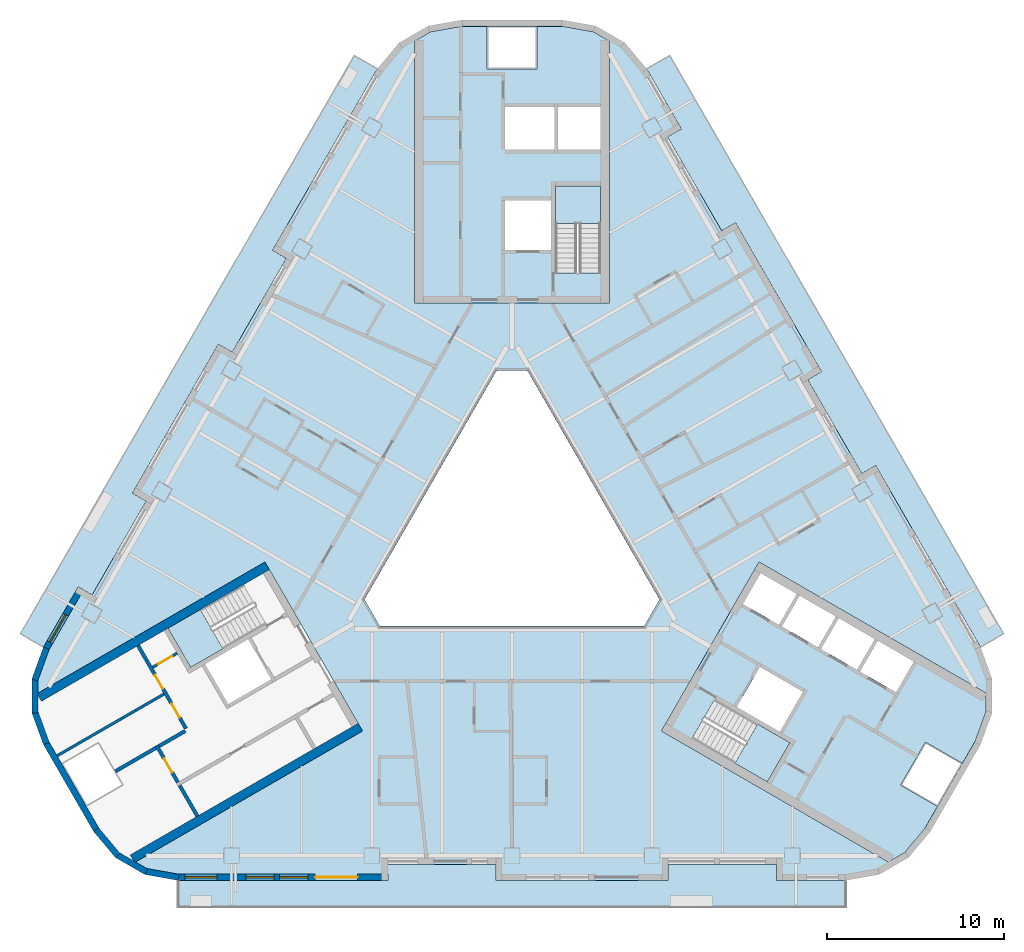
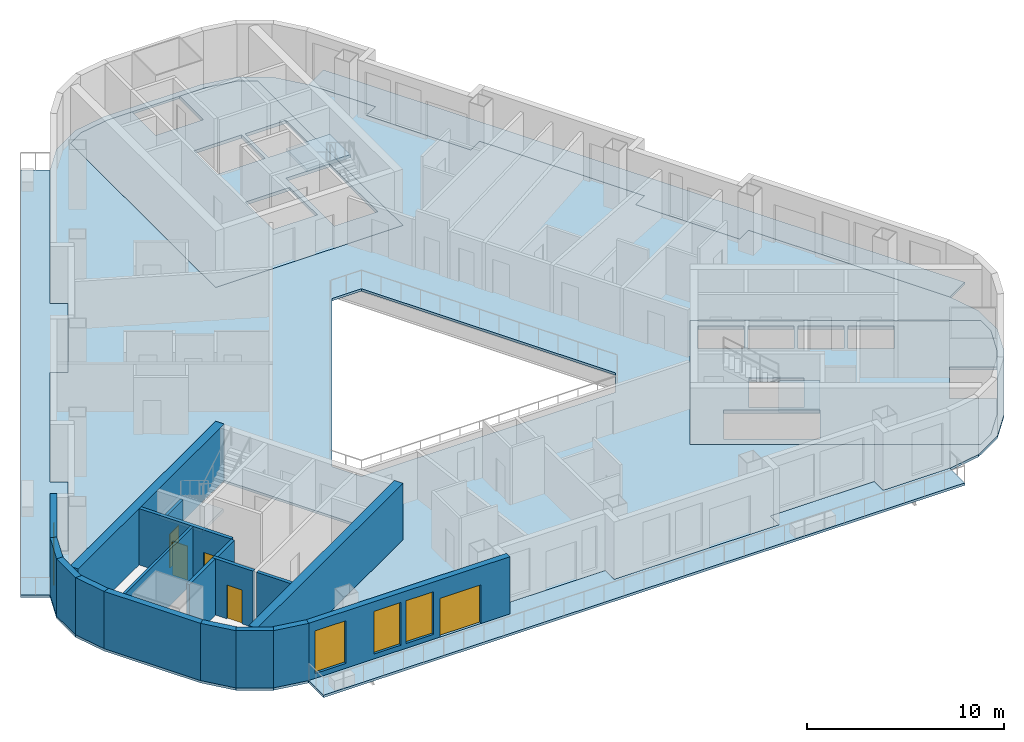
# One storey, part 2 of 14: 18 walls, 9 slabs, 5 doors, 4 windows, 9 openings, 3 elements without a shape of their own.
"""IFC4 building model written with IfcOpenShell, lengths in metres."""

import ifcopenshell
import ifcopenshell.guid

model = None  # the IFC model being written
_history = None  # IfcOwnerHistory: only IFC2X3 demands one
_inside = {}  # id of a spatial element -> (the spatial element, [elements in it])
_under = {}  # id of a project, library or spatial element -> (it, [spatial elements below it])
_declared = {}  # id of a project -> (the project, [libraries it declares])
_typed = {}  # id of a type object -> (the type object, [elements of that type])
_made_of = {}  # id of a material, layer set ... -> (it, [elements and type objects made of it])


def new_model(schema):
    """Start an empty IFC model of exactly this schema.

    Asked for "IFC4X3", IfcOpenShell would pick the latest addendum, in which some entities
    have other attributes; the version numbers below select the first issue.
    IFC2X3 requires an IfcOwnerHistory on every rooted entity: one is made here for all.
    """
    global model, _history
    if schema == "IFC4X3":
        model = ifcopenshell.file(schema_version=(4, 3, 0, 0))
    else:
        model = ifcopenshell.file(schema=schema)
    _inside.clear()
    _under.clear()
    _declared.clear()
    _typed.clear()
    _made_of.clear()
    _history = None
    if model.schema == "IFC2X3":
        org = make("IfcOrganization", Name="unknown")
        user = make(
            "IfcPersonAndOrganization",
            ThePerson=make("IfcPerson", FamilyName="unknown"),
            TheOrganization=org,
        )
        app = make(
            "IfcApplication",
            ApplicationDeveloper=org,
            Version="unknown",
            ApplicationFullName="unknown",
            ApplicationIdentifier="unknown",
        )
        _history = make(
            "IfcOwnerHistory",
            OwningUser=user,
            OwningApplication=app,
            ChangeAction="ADDED",
            CreationDate=0,
        )
    return model


def make(cls, **values):
    """One entity of the class cls with the attributes given. An attribute that is None is left unset."""
    return model.create_entity(
        cls, **{name: value for name, value in values.items() if value is not None}
    )


def rooted(cls, **values):
    """An entity with a GlobalId (a new one), such as an element, a storey or a relation."""
    return make(cls, GlobalId=ifcopenshell.guid.new(), OwnerHistory=_history, **values)


def si_unit(unit_type, name, prefix=None):
    """IfcSIUnit, for example si_unit("LENGTHUNIT", "METRE", prefix="MILLI")."""
    return make("IfcSIUnit", UnitType=unit_type, Prefix=prefix, Name=name)


def assignment(units):
    """IfcUnitAssignment: the units of a project."""
    return None if units is None else make("IfcUnitAssignment", Units=units)


def point(xyz):
    """IfcCartesianPoint."""
    return None if xyz is None else make("IfcCartesianPoint", Coordinates=xyz)


def direction(xyz):
    """IfcDirection."""
    return None if xyz is None else make("IfcDirection", DirectionRatios=xyz)


def frame(location, z_axis=None, x_axis=None):
    """IfcAxis2Placement3D, a coordinate frame: its origin and axes. An axis left out is left unset."""
    return make(
        "IfcAxis2Placement3D",
        Location=point(location),
        Axis=direction(z_axis),
        RefDirection=direction(x_axis),
    )


def frame_2d(location, x_axis=None):
    """IfcAxis2Placement2D, a coordinate frame in the plane: its origin and x axis."""
    return make(
        "IfcAxis2Placement2D", Location=point(location), RefDirection=direction(x_axis)
    )


def origin():
    """The frame at (0, 0, 0) with its axes left unset."""
    return frame((0.0, 0.0, 0.0))


def place(relative_to, where):
    """IfcLocalPlacement: puts the frame where relative to a parent placement (None: the world)."""
    return make(
        "IfcLocalPlacement", PlacementRelTo=relative_to, RelativePlacement=where
    )


def context(
    kind, dimensions, precision=None, world=None, true_north=None, identifier=None
):
    """IfcGeometricRepresentationContext, for example the 3D "Model" context."""
    return make(
        "IfcGeometricRepresentationContext",
        ContextIdentifier=identifier,
        ContextType=kind,
        CoordinateSpaceDimension=dimensions,
        Precision=precision,
        WorldCoordinateSystem=world,
        TrueNorth=true_north,
    )


def subcontext(parent, identifier, kind, view, scale=None):
    """IfcGeometricRepresentationSubContext, for example "Body" below "Model"."""
    return make(
        "IfcGeometricRepresentationSubContext",
        ContextIdentifier=identifier,
        ContextType=kind,
        ParentContext=parent,
        TargetScale=scale,
        TargetView=view,
    )


def project(units=None, contexts=None):
    """IfcProject with its units and contexts."""
    return rooted(
        "IfcProject",
        Name="project",
        RepresentationContexts=contexts,
        UnitsInContext=assignment(units),
    )


def spatial(cls, under=None, at=None, **own):
    """A site, building, storey or space (cls), placed at a placement, below another one or the project."""
    s = rooted(cls, ObjectPlacement=at, **own)
    if under is not None:
        _under.setdefault(under.id(), (under, []))[1].append(s)
    return s


def polyline(points):
    """IfcPolyline through the points."""
    return make("IfcPolyline", Points=[point(p) for p in points])


def profile(cls, at=None, kind="AREA", **sizes):
    """A parametric profile (cls). Its sizes go by their IFC names, for example OverallWidth=200.0."""
    return make(cls, ProfileType=kind, Position=at, **sizes)


def rectangle(**sizes):
    """IfcRectangleProfileDef."""
    return profile("IfcRectangleProfileDef", **sizes)


def outline(outer, holes=None, kind="AREA"):
    """IfcArbitraryClosedProfileDef: a profile drawn as a closed curve; with holes, ...WithVoids."""
    if holes is None:
        return make("IfcArbitraryClosedProfileDef", ProfileType=kind, OuterCurve=outer)
    return make(
        "IfcArbitraryProfileDefWithVoids",
        ProfileType=kind,
        OuterCurve=outer,
        InnerCurves=holes,
    )


def extrude(swept, where, along, depth):
    """IfcExtrudedAreaSolid: the profile swept, set in the frame where, extruded along a direction by depth."""
    return make(
        "IfcExtrudedAreaSolid",
        SweptArea=swept,
        Position=where,
        ExtrudedDirection=direction(along),
        Depth=depth,
    )


def shape(context_of_items, identifier, shape_type, items):
    """IfcShapeRepresentation: the items that make up one representation, for example the "Body"."""
    return make(
        "IfcShapeRepresentation",
        ContextOfItems=context_of_items,
        RepresentationIdentifier=identifier,
        RepresentationType=shape_type,
        Items=items,
    )


def material(Name=None, Category=None):
    """IfcMaterial."""
    return make("IfcMaterial", Name=Name, Category=Category)


def layer(
    of_material, thickness, ventilated=None, Name=None, Category=None, Priority=None
):
    """IfcMaterialLayer: one layer of a wall or slab, of a material (None: an air gap)."""
    return make(
        "IfcMaterialLayer",
        Material=of_material,
        LayerThickness=thickness,
        IsVentilated=ventilated,
        Name=Name,
        Category=Category,
        Priority=Priority,
    )


def layer_set(layers, Name=None):
    """IfcMaterialLayerSet."""
    return make("IfcMaterialLayerSet", MaterialLayers=layers, LayerSetName=Name)


def made_of(thing, what):
    """Note that an element or type object is made of a material, layer set ...; save() writes the relation."""
    if what is not None:
        _made_of.setdefault(what.id(), (what, []))[1].append(thing)
    return thing


def type_object(cls, material=None, **own):
    """A type object (cls), such as IfcWallType, which elements share."""
    return made_of(rooted(cls, **own), material)


def element(
    cls,
    number,
    at=None,
    inside=None,
    cuts=None,
    type_object=None,
    material=None,
    context=None,
    identifier="Body",
    shape_type=None,
    held_by="IfcProductDefinitionShape",
    body=None,
    shapes=None,
    **own,
):
    """One element of the class cls, such as IfcWall. Its Tag is "e" and its number.

    at: its placement. inside: the storey or other place that contains it. cuts: it is an
    opening in that element (IfcRelVoidsElement). A single representation is given by context,
    identifier, shape_type and body (its items); several are given by shapes. held_by: the class
    of the entity that holds the representations. save() writes the other relations.
    """
    e = rooted(cls, Tag="e%d" % number, ObjectPlacement=at, **own)
    if body is not None:
        shapes = [shape(context, identifier, shape_type, body)]
    if shapes is not None:
        e.Representation = make(held_by, Representations=shapes)
    if inside is not None:
        _inside.setdefault(inside.id(), (inside, []))[1].append(e)
    if cuts is not None:
        rooted(
            "IfcRelVoidsElement", RelatingBuildingElement=cuts, RelatedOpeningElement=e
        )
    if type_object is not None:
        _typed.setdefault(type_object.id(), (type_object, []))[1].append(e)
    return made_of(e, material)


def fill(opening, filler):
    """IfcRelFillsElement: the door or window that sits in an opening."""
    return rooted(
        "IfcRelFillsElement",
        RelatingOpeningElement=opening,
        RelatedBuildingElement=filler,
    )


def aggregate(whole, parts):
    """IfcRelAggregates: a whole, such as a stair, and the parts it consists of."""
    return rooted("IfcRelAggregates", RelatingObject=whole, RelatedObjects=parts)


def save(model, path):
    """Write the relations noted so far, then the file.

    IfcRelAggregates (storeys below a building ...), IfcRelContainedInSpatialStructure (elements
    in a storey), IfcRelDefinesByType, IfcRelAssociatesMaterial and IfcRelDeclares: one each for
    every whole, place, type object, material and project.
    """
    for whole, parts in _under.values():
        aggregate(whole, parts)
    for where, things in _inside.values():
        rooted(
            "IfcRelContainedInSpatialStructure",
            RelatedElements=things,
            RelatingStructure=where,
        )
    for kind, things in _typed.values():
        rooted("IfcRelDefinesByType", RelatedObjects=things, RelatingType=kind)
    for what, things in _made_of.values():
        rooted("IfcRelAssociatesMaterial", RelatedObjects=things, RelatingMaterial=what)
    for by, libraries in _declared.values():
        rooted("IfcRelDeclares", RelatingContext=by, RelatedDefinitions=libraries)
    model.write(path)


model = new_model("IFC4")

# Units and contexts
model_context = context("Model", 3, precision=1e-05, world=origin(), true_north=direction((0.0, 1.0)))
body_context = subcontext(model_context, "Body", "Model", "MODEL_VIEW")
ifc_project = project(units=[si_unit("LENGTHUNIT", "METRE"), si_unit("AREAUNIT", "SQUARE_METRE"), si_unit("VOLUMEUNIT", "CUBIC_METRE"), si_unit("PLANEANGLEUNIT", "RADIAN"), si_unit("MASSUNIT", "GRAM", prefix="KILO")], contexts=[model_context])

# Site, building, storey
site_placement = place(None, origin())
site = spatial("IfcSite", under=ifc_project, at=site_placement, CompositionType="ELEMENT")
building_placement = place(site_placement, origin())
building = spatial("IfcBuilding", under=site, at=building_placement, Name="Apuvela Tower Hotel", CompositionType="ELEMENT")
storey_placement = place(building_placement, frame((0.0, 0.0, 116.800048828125)))
storey = spatial("IfcBuildingStorey", under=building, at=storey_placement, Name="L27", CompositionType="ELEMENT", Elevation=116.800048828125)

# Slabs
ifc_material_1 = material(Name="Concrete C50/60", Category="concrete")
ifc_layer_1 = layer(ifc_material_1, 0.199951171875)
ifc_layer_set_1 = layer_set([ifc_layer_1], Name="COR-FLOOR-200")
slab_type_1 = type_object("IfcSlabType", Name="COR-FLOOR-200", PredefinedType="FLOOR", material=ifc_layer_set_1)
slab_1_placement = place(storey_placement, frame((0.0, 0.0, -0.199951171875)))
element("IfcSlab", 1, at=slab_1_placement, inside=storey, type_object=slab_type_1, Name="Core floor N", PredefinedType="FLOOR", context=body_context, shape_type="SweptSolid", body=[
    extrude(outline(polyline([(5.5, 27.668212890625), (4.588623046875, 28.1943359375), (2.85498046875, 28.5), (1.39990234375, 28.5), (1.39990234375, 26.10009765625), (-1.39990234375, 26.10009765625), (-1.39990234375, 28.5), (-2.85498046875, 28.5), (-4.588623046875, 28.1943359375), (-5.5, 27.668212890625), (-5.5, 12.89990234375), (5.5, 12.89990234375), (5.5, 27.668212890625)]), holes=[polyline([(5.0, 14.60595703125), (2.449951171875, 14.60595703125), (2.449951171875, 19.5), (5.0, 19.5), (5.0, 14.60595703125)]), polyline([(2.199951171875, 15.89990234375), (-0.39990234375, 15.89990234375), (-0.39990234375, 18.699951171875), (2.199951171875, 18.699951171875), (2.199951171875, 15.89990234375)]), polyline([(5.0, 21.550048828125), (2.60009765625, 21.550048828125), (2.60009765625, 23.949951171875), (5.0, 23.949951171875), (5.0, 21.550048828125)]), polyline([(2.39990234375, 21.550048828125), (-0.39990234375, 21.550048828125), (-0.39990234375, 23.949951171875), (2.39990234375, 23.949951171875), (2.39990234375, 21.550048828125)])]), origin(), (0.0, 0.0, 1.0), 0.199951171875),
])
slab_2_placement = place(storey_placement, frame((0.0, 0.0, -0.199951171875)))
element("IfcSlab", 2, at=slab_2_placement, inside=storey, type_object=slab_type_1, Name="Core floor SE", PredefinedType="FLOOR", context=body_context, shape_type="SweptSolid", body=[
    extrude(outline(polyline([(21.211181640625, -18.59716796875), (22.122802734375, -18.071044921875), (23.254150390625, -16.72265625), (23.981689453125, -15.46240234375), (21.9033203125, -14.262451171875), (23.30322265625, -11.837646484375), (25.381591796875, -13.03759765625), (26.109375, -11.77734375), (26.711181640625, -10.123291015625), (26.711181640625, -9.07080078125), (13.921630859375, -1.68701171875), (8.421630859375, -11.213134765625), (21.211181640625, -18.59716796875)]), holes=[polyline([(13.01806640625, -4.052001953125), (14.01806640625, -2.31982421875), (16.044677734375, -3.489990234375), (15.044677734375, -5.221923828125), (13.01806640625, -4.052001953125)]), polyline([(17.244384765625, -6.491943359375), (15.2177734375, -5.322021484375), (16.2177734375, -3.58984375), (18.244384765625, -4.760009765625), (17.244384765625, -6.491943359375)]), polyline([(14.387451171875, -14.080078125), (10.149169921875, -11.633056640625), (11.42431640625, -9.4248046875), (15.66259765625, -11.871826171875), (14.387451171875, -14.080078125)]), polyline([(12.669921875, -9.855224609375), (13.9697265625, -7.603515625), (16.394775390625, -9.003662109375), (15.0947265625, -11.25537109375), (12.669921875, -9.855224609375)]), polyline([(19.444091796875, -7.761962890625), (17.41748046875, -6.591796875), (18.41748046875, -4.85986328125), (20.444091796875, -6.02978515625), (19.444091796875, -7.761962890625)]), polyline([(21.643798828125, -9.031982421875), (19.6171875, -7.86181640625), (20.6171875, -6.1298828125), (22.643798828125, -7.2998046875), (21.643798828125, -9.031982421875)])]), origin(), (0.0, 0.0, 1.0), 0.199951171875),
])

# Stair, slab
stair_type = type_object("IfcStairType", Name="COR-STAIR-22R", PredefinedType="HALF_TURN_STAIR", material=ifc_material_1)
stair_1_placement = place(storey_placement, origin())
stair_1 = element("IfcStair", 3, at=stair_1_placement, inside=storey, type_object=stair_type, Name="L27 Exit stair ST1", PredefinedType="HALF_TURN_STAIR")
ifc_layer_2 = layer(ifc_material_1, 0.199951171875)
ifc_layer_set_2 = layer_set([ifc_layer_2], Name="COR-LANDING-200")
slab_type_2 = type_object("IfcSlabType", Name="COR-LANDING-200", PredefinedType="LANDING", material=ifc_layer_set_2)
slab_3_placement = place(storey_placement, frame((0.0, 0.0, 1.64990234375)))
slab_3 = element("IfcSlab", 4, at=slab_3_placement, type_object=slab_type_2, Name="ST1 landing 1", PredefinedType="LANDING", context=body_context, shape_type="SweptSolid", body=[
    extrude(outline(polyline([(5.0, 17.39404296875), (5.0, 19.5), (2.449951171875, 19.5), (2.449951171875, 17.39404296875), (5.0, 17.39404296875)])), origin(), (0.0, 0.0, 1.0), 0.199951171875),
])
aggregate(stair_1, [slab_3])

stair_2_placement = place(storey_placement, origin())
stair_2 = element("IfcStair", 5, at=stair_2_placement, inside=storey, type_object=stair_type, Name="L27 Exit stair ST2", PredefinedType="HALF_TURN_STAIR")
slab_4_placement = place(storey_placement, frame((0.0, 0.0, 1.64990234375)))
slab_4 = element("IfcSlab", 6, at=slab_4_placement, type_object=slab_type_2, Name="ST2 landing 1", PredefinedType="LANDING", context=body_context, shape_type="SweptSolid", body=[
    extrude(outline(polyline([(-17.563720703125, -4.366943359375), (-19.387451171875, -5.419921875), (-18.112548828125, -7.628173828125), (-16.28857421875, -6.5751953125), (-17.563720703125, -4.366943359375)])), origin(), (0.0, 0.0, 1.0), 0.199951171875),
])
aggregate(stair_2, [slab_4])

stair_3_placement = place(storey_placement, origin())
stair_3 = element("IfcStair", 7, at=stair_3_placement, inside=storey, type_object=stair_type, Name="L27 Exit stair ST3", PredefinedType="HALF_TURN_STAIR")
slab_5_placement = place(storey_placement, frame((0.0, 0.0, 1.64990234375)))
slab_5 = element("IfcSlab", 8, at=slab_5_placement, type_object=slab_type_2, Name="ST3 landing 1", PredefinedType="LANDING", context=body_context, shape_type="SweptSolid", body=[
    extrude(outline(polyline([(12.563720703125, -13.027099609375), (14.387451171875, -14.080078125), (15.66259765625, -11.871826171875), (13.838623046875, -10.81884765625), (12.563720703125, -13.027099609375)])), origin(), (0.0, 0.0, 1.0), 0.199951171875),
])
aggregate(stair_3, [slab_5])

# Slabs
ifc_material_2 = material(Name="Concrete C40/50, fair-faced", Category="concrete")
ifc_layer_3 = layer(ifc_material_2, 0.14990234375)
ifc_layer_set_3 = layer_set([ifc_layer_3], Name="ENV-BALCONY-150")
slab_type_3 = type_object("IfcSlabType", Name="ENV-BALCONY-150", PredefinedType="FLOOR", material=ifc_layer_set_3)
slab_6_placement = place(storey_placement, frame((0.0, 0.0, -0.150146484375)))
element("IfcSlab", 9, at=slab_6_placement, inside=storey, type_object=slab_type_3, Name="Balcony slab S L27", PredefinedType="FLOOR", context=body_context, shape_type="SweptSolid", body=[
    extrude(outline(polyline([(18.82080078125, -21.135009765625), (-18.82080078125, -21.135009765625), (-18.82080078125, -19.625), (-7.0048828125, -19.625), (-7.0048828125, -18.72509765625), (-0.89501953125, -18.72509765625), (-0.89501953125, -19.625), (8.794921875, -19.625), (8.794921875, -18.72509765625), (14.905029296875, -18.72509765625), (14.905029296875, -19.625), (18.82080078125, -19.625), (18.82080078125, -21.135009765625)])), origin(), (0.0, 0.0, 1.0), 0.150146484375),
])
slab_7_placement = place(storey_placement, frame((0.0, 0.0, -0.150146484375)))
element("IfcSlab", 10, at=slab_7_placement, inside=storey, type_object=slab_type_3, Name="Balcony slab NE L27", PredefinedType="FLOOR", context=body_context, shape_type="SweptSolid", body=[
    extrude(outline(polyline([(17.443359375, 9.037353515625), (12.598388671875, 17.42919921875), (11.81884765625, 16.979248046875), (8.763916015625, 22.2705078125), (9.543212890625, 22.720703125), (7.585205078125, 26.11181640625), (8.89306640625, 26.86669921875), (27.7138671875, -5.731689453125), (26.40625, -6.48681640625), (20.498291015625, 3.74609375), (19.71875, 3.2958984375), (16.663818359375, 8.58740234375), (17.443359375, 9.037353515625)])), origin(), (0.0, 0.0, 1.0), 0.150146484375),
])
slab_8_placement = place(storey_placement, frame((0.0, 0.0, -0.150146484375)))
element("IfcSlab", 11, at=slab_8_placement, inside=storey, type_object=slab_type_3, Name="Balcony slab NW L27", PredefinedType="FLOOR", context=body_context, shape_type="SweptSolid", body=[
    extrude(outline(polyline([(-27.7138671875, -5.731689453125), (-8.89306640625, 26.86669921875), (-7.585205078125, 26.11181640625), (-13.4931640625, 15.87890625), (-12.7138671875, 15.428955078125), (-15.768798828125, 10.1376953125), (-16.548095703125, 10.587646484375), (-21.393310546875, 2.19580078125), (-20.61376953125, 1.745849609375), (-23.668701171875, -3.545654296875), (-24.4482421875, -3.095703125), (-26.40625, -6.48681640625), (-27.7138671875, -5.731689453125)])), origin(), (0.0, 0.0, 1.0), 0.150146484375),
])
ifc_material_3 = material(Name="Concrete C35/45", Category="concrete")
ifc_layer_4 = layer(ifc_material_3, 0.14990234375)
ifc_layer_set_4 = layer_set([ifc_layer_4], Name="STR-SLAB 150 floor Concrete C35/45")
slab_type_4 = type_object("IfcSlabType", Name="STR-SLAB 150 floor Concrete C35/45", PredefinedType="FLOOR", material=ifc_layer_set_4)
slab_9_placement = place(storey_placement, frame((0.0, 0.0, -0.150146484375)))
element("IfcSlab", 12, at=slab_9_placement, inside=storey, type_object=slab_type_4, Name="Floor slab S4 L27", PredefinedType="FLOOR", context=body_context, shape_type="SweptSolid", body=[
    extrude(outline(polyline([(-6.3642578125, 27.5732421875), (-4.710205078125, 28.5283203125), (-2.8291015625, 28.860107421875), (2.8291015625, 28.860107421875), (4.710205078125, 28.5283203125), (6.3642578125, 27.5732421875), (7.59228515625, 26.110107421875), (9.550048828125, 22.71875), (8.770751953125, 22.268798828125), (11.82080078125, 16.986083984375), (12.60009765625, 17.43603515625), (17.4501953125, 9.035400390625), (16.670654296875, 8.58544921875), (19.720703125, 3.302734375), (20.5, 3.752685546875), (26.407958984375, -6.47998046875), (27.061279296875, -8.27490234375), (27.061279296875, -10.18505859375), (26.407958984375, -11.97998046875), (23.5791015625, -16.8798828125), (22.351318359375, -18.34326171875), (20.697021484375, -19.29833984375), (18.81591796875, -19.6298828125), (14.89990234375, -19.6298828125), (14.89990234375, -18.72998046875), (8.800048828125, -18.72998046875), (8.800048828125, -19.6298828125), (-0.89990234375, -19.6298828125), (-0.89990234375, -18.72998046875), (-7.0, -18.72998046875), (-7.0, -19.6298828125), (-18.81591796875, -19.6298828125), (-20.697021484375, -19.29833984375), (-22.351318359375, -18.34326171875), (-23.5791015625, -16.8798828125), (-26.407958984375, -11.97998046875), (-27.061279296875, -10.18505859375), (-27.061279296875, -8.27490234375), (-26.407958984375, -6.47998046875), (-24.4501953125, -3.088623046875), (-23.670654296875, -3.538818359375), (-20.62060546875, 1.743896484375), (-21.400146484375, 2.194091796875), (-16.550048828125, 10.594482421875), (-15.7705078125, 10.14453125), (-12.720703125, 15.42724609375), (-13.5, 15.877197265625), (-7.59228515625, 26.110107421875), (-6.3642578125, 27.5732421875)]), holes=[polyline([(0.865966796875, 9.10009765625), (-0.865966796875, 9.10009765625), (-8.313720703125, -3.800048828125), (-7.44775390625, -5.300048828125), (7.44775390625, -5.300048828125), (8.313720703125, -3.800048828125), (0.865966796875, 9.10009765625)]), polyline([(-5.5, 12.89990234375), (-5.5, 27.668212890625), (-4.588623046875, 28.1943359375), (-2.85498046875, 28.5), (2.85498046875, 28.5), (4.588623046875, 28.1943359375), (5.5, 27.668212890625), (5.5, 12.89990234375), (-5.5, 12.89990234375)]), polyline([(-8.421630859375, -11.213134765625), (-21.211181640625, -18.59716796875), (-22.122802734375, -18.071044921875), (-23.254150390625, -16.72265625), (-26.109375, -11.77734375), (-26.711181640625, -10.123291015625), (-26.711181640625, -9.07080078125), (-13.921630859375, -1.68701171875), (-8.421630859375, -11.213134765625)]), polyline([(13.921630859375, -1.68701171875), (26.711181640625, -9.07080078125), (26.711181640625, -10.123291015625), (26.109375, -11.77734375), (23.254150390625, -16.72265625), (22.122802734375, -18.071044921875), (21.211181640625, -18.59716796875), (8.421630859375, -11.213134765625), (13.921630859375, -1.68701171875)])]), origin(), (0.0, 0.0, 1.0), 0.150146484375),
])

# Walls
ifc_layer_5 = layer(ifc_material_1, 0.5)
ifc_layer_set_5 = layer_set([ifc_layer_5], Name="COR-WALL-CORE-500")
wall_type_1 = type_object("IfcWallType", Name="COR-WALL-CORE-500", PredefinedType="SHEAR", material=ifc_layer_set_5)
for number, where, z_axis, x_axis, name in (
    (13, (-13.796630859375, -1.9033203125, 0.0), (0.0, 0.0, 1.0), (-0.866025009528, -0.500000682871, 0.0), "Core wall SW"),
    (14, (-8.546630859375, -10.99658203125, 0.0), (0.0, 0.0, 1.0), (-0.866025009528, -0.500000682871, 0.0), "Core wall SW"),
):
    element("IfcWall", number, at=place(storey_placement, frame(where, z_axis=z_axis, x_axis=x_axis)), inside=storey, type_object=wall_type_1, Name=name, PredefinedType="SHEAR", context=body_context, shape_type="SweptSolid", body=[
        extrude(rectangle(XDim=14.8369140625, YDim=0.5, at=frame_2d((7.41845703125, 0.0))), origin(), (0.0, 0.0, 1.0), 3.5),
    ])

# Wall, opening, door
ifc_material_4 = material(Name="Blockwork 150 mm plastered", Category="masonry")
ifc_layer_6 = layer(ifc_material_4, 0.14990234375)
ifc_layer_set_6 = layer_set([ifc_layer_6], Name="COR-WALL-PART-150")
wall_type_2 = type_object("IfcWallType", Name="COR-WALL-PART-150", PredefinedType="PARTITIONING", material=ifc_layer_set_6)
wall_1_placement = place(storey_placement, frame((-18.866455078125, -6.822265625, 0.0), z_axis=(0.0, 0.0, 1.0), x_axis=(-0.866028054938, -0.499995408039, 0.0)))
wall_1 = element("IfcWall", 15, at=wall_1_placement, inside=storey, type_object=wall_type_2, Name="Partition SW", PredefinedType="PARTITIONING", context=body_context, shape_type="SweptSolid", body=[
    extrude(rectangle(XDim=1.60009765625, YDim=0.14990234375, at=frame_2d((0.800048828125, 0.0))), origin(), (0.0, 0.0, 1.0), 3.5),
])
opening_1_placement = place(wall_1_placement, frame((0.35009765625, 0.0, 0.0)))
opening_1 = element("IfcOpeningElement", 16, at=opening_1_placement, cuts=wall_1, Name="Opening W-RD", PredefinedType="OPENING", context=body_context, shape_type="SweptSolid", body=[
    extrude(rectangle(XDim=0.89990234375, YDim=2.10009765625, at=frame_2d((0.449951171875, 1.050048828125))), frame((0.0, 0.0849609375, 0.0), z_axis=(0.0, -1.0, 0.0), x_axis=(1.0, 0.0, 0.0)), (0.0, 0.0, 1.0), 0.169921875),
])
ifc_material_5 = material(Name="Steel access door, powder coated", Category="steel")
door_type_1 = type_object("IfcDoorType", Name="COR-RD-900", OperationType="NOTDEFINED", PredefinedType="DOOR", material=ifc_material_5)
door_1_placement = place(opening_1_placement, frame((0.89990234375, 0.0, 0.0), z_axis=(0.0, 0.0, 1.0), x_axis=(-1.0, 0.0, 0.0)))
door_1 = element("IfcDoor", 17, at=door_1_placement, inside=storey, type_object=door_type_1, Name="Riser door W-RD", OperationType="SINGLE_SWING_RIGHT", OverallHeight=2.10009765625, OverallWidth=0.89990234375, PredefinedType="DOOR", context=body_context, shape_type="SweptSolid", body=[
    extrude(rectangle(XDim=0.89990234375, YDim=2.10009765625, at=frame_2d((0.449951171875, 1.050048828125))), frame((0.0, 0.02490234375, 0.0), z_axis=(0.0, -1.0, 0.0), x_axis=(1.0, 0.0, 0.0)), (0.0, 0.0, 1.0), 0.050048828125),
])
fill(opening_1, door_1)

# Wall
wall_2_placement = place(storey_placement, frame((-19.61279296875, -9.129638671875, 0.0), z_axis=(0.0, 0.0, 1.0), x_axis=(-0.866031734426, -0.499989034847, 0.0)))
element("IfcWall", 18, at=wall_2_placement, inside=storey, type_object=wall_type_2, Name="Partition SW", PredefinedType="PARTITIONING", context=body_context, shape_type="SweptSolid", body=[
    extrude(rectangle(XDim=6.949951171875, YDim=0.14990234375, at=frame_2d((3.47509765625, 0.0))), origin(), (0.0, 0.0, 1.0), 3.5),
])

# Wall, openings, doors
ifc_material_6 = material(Name="Blockwork 200 mm plastered", Category="masonry")
ifc_layer_7 = layer(ifc_material_6, 0.199951171875)
ifc_layer_set_7 = layer_set([ifc_layer_7], Name="COR-WALL-PART-200")
wall_type_3 = type_object("IfcWallType", Name="COR-WALL-PART-200", PredefinedType="PARTITIONING", material=ifc_layer_set_7)
wall_3_placement = place(storey_placement, frame((-21.076171875, -6.39501953125, 0.0), z_axis=(0.0, 0.0, 1.0), x_axis=(0.50001468107, -0.866016927499, 0.0)))
wall_3 = element("IfcWall", 19, at=wall_3_placement, inside=storey, type_object=wall_type_3, Name="Partition SW", PredefinedType="PARTITIONING", context=body_context, shape_type="SweptSolid", body=[
    extrude(rectangle(XDim=5.399658203125, YDim=0.199951171875, at=frame_2d((2.69970703125, 0.0))), origin(), (0.0, 0.0, 1.0), 3.5),
])
opening_2_placement = place(wall_3_placement, frame((1.91259765625, 0.0, 0.0)))
opening_2 = element("IfcOpeningElement", 20, at=opening_2_placement, cuts=wall_3, Name="Opening W-RS1", PredefinedType="OPENING", context=body_context, shape_type="SweptSolid", body=[
    extrude(rectangle(XDim=0.89990234375, YDim=2.10009765625, at=frame_2d((0.449951171875, 1.050048828125))), frame((0.0, 0.10986328125, 0.0), z_axis=(0.0, -1.0, 0.0), x_axis=(1.0, 0.0, 0.0)), (0.0, 0.0, 1.0), 0.219970703125),
])
opening_3_placement = place(wall_3_placement, frame((3.78759765625, 0.0, 0.0)))
opening_3 = element("IfcOpeningElement", 21, at=opening_3_placement, cuts=wall_3, Name="Opening W-RS2", PredefinedType="OPENING", context=body_context, shape_type="SweptSolid", body=[
    extrude(rectangle(XDim=0.89990234375, YDim=2.10009765625, at=frame_2d((0.449951171875, 1.050048828125))), frame((0.0, 0.10986328125, 0.0), z_axis=(0.0, -1.0, 0.0), x_axis=(1.0, 0.0, 0.0)), (0.0, 0.0, 1.0), 0.219970703125),
])
ifc_material_7 = material(Name="Steel fire door, powder coated", Category="steel")
door_type_2 = type_object("IfcDoorType", Name="COR-DR-900", OperationType="NOTDEFINED", PredefinedType="DOOR", material=ifc_material_7)
door_2_placement = place(opening_2_placement, frame((0.89990234375, 0.0, 0.0), z_axis=(0.0, 0.0, 1.0), x_axis=(-1.0, 0.0, 0.0)))
door_2 = element("IfcDoor", 22, at=door_2_placement, inside=storey, type_object=door_type_2, Name="Store door W-RS1", OperationType="SINGLE_SWING_LEFT", OverallHeight=2.10009765625, OverallWidth=0.89990234375, PredefinedType="DOOR", context=body_context, shape_type="SweptSolid", body=[
    extrude(rectangle(XDim=0.89990234375, YDim=2.10009765625, at=frame_2d((0.449951171875, 1.050048828125))), frame((0.0, 0.02490234375, 0.0), z_axis=(0.0, -1.0, 0.0), x_axis=(1.0, 0.0, 0.0)), (0.0, 0.0, 1.0), 0.050048828125),
])
fill(opening_2, door_2)
door_3_placement = place(opening_3_placement, frame((0.89990234375, 0.0, 0.0), z_axis=(0.0, 0.0, 1.0), x_axis=(-1.0, 0.0, 0.0)))
door_3 = element("IfcDoor", 23, at=door_3_placement, inside=storey, type_object=door_type_2, Name="Store door W-RS2", OperationType="SINGLE_SWING_LEFT", OverallHeight=2.10009765625, OverallWidth=0.89990234375, PredefinedType="DOOR", context=body_context, shape_type="SweptSolid", body=[
    extrude(rectangle(XDim=0.89990234375, YDim=2.10009765625, at=frame_2d((0.449951171875, 1.050048828125))), frame((0.0, 0.02490234375, 0.0), z_axis=(0.0, -1.0, 0.0), x_axis=(1.0, 0.0, 0.0)), (0.0, 0.0, 1.0), 0.050048828125),
])
fill(opening_3, door_3)

# Wall, opening, door
ifc_layer_8 = layer(ifc_material_1, 0.199951171875)
ifc_layer_set_8 = layer_set([ifc_layer_8], Name="COR-WALL-SHAFT-200")
wall_type_4 = type_object("IfcWallType", Name="COR-WALL-SHAFT-200", PredefinedType="SHEAR", material=ifc_layer_set_8)
wall_4_placement = place(storey_placement, frame((-20.030517578125, -12.0263671875, 0.0), z_axis=(0.0, 0.0, 1.0), x_axis=(0.500033551112, -0.866006032174, 0.0)))
wall_4 = element("IfcWall", 24, at=wall_4_placement, inside=storey, type_object=wall_type_4, Name="Shaft wall SW", PredefinedType="SHEAR", context=body_context, shape_type="SweptSolid", body=[
    extrude(rectangle(XDim=2.400146484375, YDim=0.199951171875, at=frame_2d((1.2001953125, 0.0))), origin(), (0.0, 0.0, 1.0), 3.5),
])
opening_4_placement = place(wall_4_placement, frame((0.85009765625, 0.0, 0.0)))
opening_4 = element("IfcOpeningElement", 25, at=opening_4_placement, cuts=wall_4, Name="Opening W-REP", PredefinedType="OPENING", context=body_context, shape_type="SweptSolid", body=[
    extrude(rectangle(XDim=0.89990234375, YDim=2.10009765625, at=frame_2d((0.449951171875, 1.050048828125))), frame((0.0, 0.10986328125, 0.0), z_axis=(0.0, -1.0, 0.0), x_axis=(1.0, 0.0, 0.0)), (0.0, 0.0, 1.0), 0.219970703125),
])
door_4_placement = place(opening_4_placement, frame((0.89990234375, 0.0, 0.0), z_axis=(0.0, 0.0, 1.0), x_axis=(-1.0, 0.0, 0.0)))
door_4 = element("IfcDoor", 26, at=door_4_placement, inside=storey, type_object=door_type_2, Name="Store door W-REP", OperationType="SINGLE_SWING_LEFT", OverallHeight=2.10009765625, OverallWidth=0.89990234375, PredefinedType="DOOR", context=body_context, shape_type="SweptSolid", body=[
    extrude(rectangle(XDim=0.89990234375, YDim=2.10009765625, at=frame_2d((0.449951171875, 1.050048828125))), frame((0.0, 0.02490234375, 0.0), z_axis=(0.0, -1.0, 0.0), x_axis=(1.0, 0.0, 0.0)), (0.0, 0.0, 1.0), 0.050048828125),
])
fill(opening_4, door_4)

# Walls
wall_5_placement = place(storey_placement, frame((-18.412841796875, -11.2080078125, 0.0), z_axis=(0.0, 0.0, 1.0), x_axis=(-0.866038183914, -0.499977863513, 0.0)))
element("IfcWall", 27, at=wall_5_placement, inside=storey, type_object=wall_type_4, Name="Shaft wall SW", PredefinedType="SHEAR", context=body_context, shape_type="SweptSolid", body=[
    extrude(rectangle(XDim=1.7099609375, YDim=0.199951171875, at=frame_2d((0.85498046875, 0.0))), origin(), (0.0, 0.0, 1.0), 3.5),
])
wall_6_placement = place(storey_placement, frame((-18.73046875, -14.278076171875, 0.0), z_axis=(0.0, 0.0, 1.0), x_axis=(0.50002537861, -0.866010750942, 0.0)))
element("IfcWall", 28, at=wall_6_placement, inside=storey, type_object=wall_type_4, Name="Shaft wall SW", PredefinedType="SHEAR", context=body_context, shape_type="SweptSolid", body=[
    extrude(rectangle(XDim=2.0, YDim=0.199951171875, at=frame_2d((1.0, 0.0))), origin(), (0.0, 0.0, 1.0), 3.5),
])
wall_7_placement = place(storey_placement, frame((-20.06689453125, -12.1630859375, 0.0), z_axis=(0.0, 0.0, 1.0), x_axis=(-0.866060851709, -0.499938597367, 0.0)))
element("IfcWall", 29, at=wall_7_placement, inside=storey, type_object=wall_type_4, Name="Shaft wall SW", PredefinedType="SHEAR", context=body_context, shape_type="SweptSolid", body=[
    extrude(rectangle(XDim=2.639892578125, YDim=0.199951171875, at=frame_2d((1.31982421875, 0.0))), origin(), (0.0, 0.0, 1.0), 3.5),
])

# Wall, opening, window
ifc_material_8 = material(Name="Concrete C40/50, dark pigmented precast panel", Category="concrete")
ifc_layer_9 = layer(ifc_material_8, 0.35009765625)
ifc_layer_set_9 = layer_set([ifc_layer_9], Name="ENV-WALL-350")
wall_type_5 = type_object("IfcWallType", Name="ENV-WALL-350", PredefinedType="SOLIDWALL", material=ifc_layer_set_9)
wall_8_placement = place(storey_placement, frame((-24.298583984375, -3.17626953125, 0.0), z_axis=(0.0, 0.0, 1.0), x_axis=(-0.500028278809, -0.866009076391, 0.0)))
wall_8 = element("IfcWall", 30, at=wall_8_placement, inside=storey, type_object=wall_type_5, Name="External wall L27-09", PredefinedType="SOLIDWALL", context=body_context, shape_type="SweptSolid", body=[
    extrude(rectangle(XDim=3.915771484375, YDim=0.35009765625, at=frame_2d((1.9580078125, 0.0))), origin(), (0.0, 0.0, 1.0), 3.550048828125),
])
opening_5_placement = place(wall_8_placement, frame((1.699951171875, 0.0, 0.300048828125)))
opening_5 = element("IfcOpeningElement", 31, at=opening_5_placement, cuts=wall_8, Name="Opening WN18", PredefinedType="OPENING", context=body_context, shape_type="SweptSolid", body=[
    extrude(rectangle(XDim=1.800048828125, YDim=2.64990234375, at=frame_2d((0.89990234375, 1.324951171875))), frame((0.0, 0.18505859375, 0.0), z_axis=(0.0, -1.0, 0.0), x_axis=(1.0, 0.0, 0.0)), (0.0, 0.0, 1.0), 0.3701171875),
])
ifc_material_9 = material(Name="Glass, dark tinted laminated insulated glazing unit", Category="glass")
window_type_1 = type_object("IfcWindowType", Name="ENV-WIN-1800x2650", PartitioningType="SINGLE_PANEL", PredefinedType="WINDOW", material=ifc_material_9)
window_1_placement = place(opening_5_placement, origin())
window_1 = element("IfcWindow", 32, at=window_1_placement, inside=storey, type_object=window_type_1, Name="Window WN18", OverallHeight=2.64990234375, OverallWidth=1.800048828125, PartitioningType="SINGLE_PANEL", PredefinedType="WINDOW", context=body_context, shape_type="SweptSolid", body=[
    extrude(rectangle(XDim=1.800048828125, YDim=2.64990234375, at=frame_2d((0.89990234375, 1.324951171875))), frame((0.0, 0.030029296875, 0.0), z_axis=(0.0, -1.0, 0.0), x_axis=(1.0, 0.0, 0.0)), (0.0, 0.0, 1.0), 0.06005859375),
])
fill(opening_5, window_1)

# Walls
for number, where, z_axis, x_axis, name in (
    (33, (-26.24365234375, -6.539794921875, 0.0), (0.0, 0.0, 1.0), (-0.342030395486, -0.939688889242, 0.0), "External wall L27-10"),
    (34, (-26.88623046875, -8.27490234375, 0.0), (0.0, 0.0, 1.0), (0.0, -1.0, 0.0), "External wall L27-11"),
    (35, (-26.89697265625, -10.125244140625, 0.0), (0.0, 0.0, 1.0), (0.342030395486, -0.939688889242, 0.0), "External wall L27-12"),
):
    element("IfcWall", number, at=place(storey_placement, frame(where, z_axis=z_axis, x_axis=x_axis)), inside=storey, type_object=wall_type_5, Name=name, PredefinedType="SOLIDWALL", context=body_context, shape_type="SweptSolid", body=[
        extrude(rectangle(XDim=1.91015625, YDim=0.35009765625, at=frame_2d((0.955078125, 0.0))), origin(), (0.0, 0.0, 1.0), 3.550048828125),
    ])
wall_9_placement = place(storey_placement, frame((-26.256591796875, -11.892578125, 0.0), z_axis=(0.0, 0.0, 1.0), x_axis=(0.500018773155, -0.866014564827, 0.0)))
element("IfcWall", 36, at=wall_9_placement, inside=storey, type_object=wall_type_5, Name="External wall L27-13", PredefinedType="SOLIDWALL", context=body_context, shape_type="SweptSolid", body=[
    extrude(rectangle(XDim=5.657958984375, YDim=0.35009765625, at=frame_2d((2.8291015625, 0.0))), origin(), (0.0, 0.0, 1.0), 3.550048828125),
])
for number, where, z_axis, x_axis, name in (
    (37, (-23.44482421875, -16.767578125, 0.0), (0.0, 0.0, 1.0), (0.642733291068, -0.76609001857, 0.0), "External wall L27-14"),
    (38, (-22.263671875, -18.191650390625, 0.0), (0.0, 0.0, 1.0), (0.866000389056, -0.500043324278, 0.0), "External wall L27-15"),
):
    element("IfcWall", number, at=place(storey_placement, frame(where, z_axis=z_axis, x_axis=x_axis)), inside=storey, type_object=wall_type_5, Name=name, PredefinedType="SOLIDWALL", context=body_context, shape_type="SweptSolid", body=[
        extrude(rectangle(XDim=1.909912109375, YDim=0.35009765625, at=frame_2d((0.955078125, 0.0))), origin(), (0.0, 0.0, 1.0), 3.550048828125),
    ])
wall_10_placement = place(storey_placement, frame((-20.66650390625, -19.1259765625, 0.0), z_axis=(0.0, 0.0, 1.0), x_axis=(0.984798995425, -0.173697837091, 0.0)))
element("IfcWall", 39, at=wall_10_placement, inside=storey, type_object=wall_type_5, Name="External wall L27-16", PredefinedType="SOLIDWALL", context=body_context, shape_type="SweptSolid", body=[
    extrude(rectangle(XDim=1.91015625, YDim=0.35009765625, at=frame_2d((0.955078125, 0.0))), origin(), (0.0, 0.0, 1.0), 3.550048828125),
])

# Wall, openings, door, windows
wall_11_placement = place(storey_placement, frame((-18.81591796875, -19.455078125, 0.0), z_axis=(0.0, 0.0, 1.0), x_axis=(1.0, 0.0, 0.0)))
wall_11 = element("IfcWall", 40, at=wall_11_placement, inside=storey, type_object=wall_type_5, Name="External wall L27-17", PredefinedType="SOLIDWALL", context=body_context, shape_type="SweptSolid", body=[
    extrude(rectangle(XDim=11.81591796875, YDim=0.35009765625, at=frame_2d((5.907958984375, 0.0))), origin(), (0.0, 0.0, 1.0), 3.550048828125),
])
opening_6_placement = place(wall_11_placement, frame((0.380615234375, 0.0, 0.300048828125)))
opening_6 = element("IfcOpeningElement", 41, at=opening_6_placement, cuts=wall_11, Name="Opening WN18", PredefinedType="OPENING", context=body_context, shape_type="SweptSolid", body=[
    extrude(rectangle(XDim=1.800048828125, YDim=2.64990234375, at=frame_2d((0.89990234375, 1.324951171875))), frame((0.0, 0.18505859375, 0.0), z_axis=(0.0, -1.0, 0.0), x_axis=(1.0, 0.0, 0.0)), (0.0, 0.0, 1.0), 0.3701171875),
])
opening_7_placement = place(wall_11_placement, frame((7.71630859375, 0.0, 0.0)))
opening_7 = element("IfcOpeningElement", 42, at=opening_7_placement, cuts=wall_11, Name="Opening BD24", PredefinedType="OPENING", context=body_context, shape_type="SweptSolid", body=[
    extrude(rectangle(XDim=2.39990234375, YDim=2.39990234375, at=frame_2d((1.199951171875, 1.199951171875))), frame((0.0, 0.18505859375, 0.0), z_axis=(0.0, -1.0, 0.0), x_axis=(1.0, 0.0, 0.0)), (0.0, 0.0, 1.0), 0.3701171875),
])
opening_8_placement = place(wall_11_placement, frame((3.816162109375, 0.0, 0.300048828125)))
opening_8 = element("IfcOpeningElement", 43, at=opening_8_placement, cuts=wall_11, Name="Opening WN16", PredefinedType="OPENING", context=body_context, shape_type="SweptSolid", body=[
    extrude(rectangle(XDim=1.60009765625, YDim=2.64990234375, at=frame_2d((0.800048828125, 1.324951171875))), frame((0.0, 0.18505859375, 0.0), z_axis=(0.0, -1.0, 0.0), x_axis=(1.0, 0.0, 0.0)), (0.0, 0.0, 1.0), 0.3701171875),
])
opening_9_placement = place(wall_11_placement, frame((5.71630859375, 0.0, 0.300048828125)))
opening_9 = element("IfcOpeningElement", 44, at=opening_9_placement, cuts=wall_11, Name="Opening WN16", PredefinedType="OPENING", context=body_context, shape_type="SweptSolid", body=[
    extrude(rectangle(XDim=1.60009765625, YDim=2.64990234375, at=frame_2d((0.800048828125, 1.324951171875))), frame((0.0, 0.18505859375, 0.0), z_axis=(0.0, -1.0, 0.0), x_axis=(1.0, 0.0, 0.0)), (0.0, 0.0, 1.0), 0.3701171875),
])
ifc_material_10 = material(Name="Aluminium 6063-T6, dark bronze anodised frame with dark tinted laminated glass", Category="aluminium")
door_type_3 = type_object("IfcDoorType", Name="ENV-DOOR-BALCONY-2400x2400", OperationType="SLIDING_TO_LEFT", PredefinedType="DOOR", material=ifc_material_10)
door_5_placement = place(opening_7_placement, frame((2.39990234375, 0.0, 0.0), z_axis=(0.0, 0.0, 1.0), x_axis=(-1.0, 0.0, 0.0)))
door_5 = element("IfcDoor", 45, at=door_5_placement, inside=storey, type_object=door_type_3, Name="Balcony door BD24", OperationType="SLIDING_TO_LEFT", OverallHeight=2.39990234375, OverallWidth=2.39990234375, PredefinedType="DOOR", context=body_context, shape_type="SweptSolid", body=[
    extrude(rectangle(XDim=2.39990234375, YDim=2.39990234375, at=frame_2d((1.199951171875, 1.199951171875))), frame((0.0, 0.02490234375, 0.0), z_axis=(0.0, -1.0, 0.0), x_axis=(1.0, 0.0, 0.0)), (0.0, 0.0, 1.0), 0.050048828125),
])
fill(opening_7, door_5)
window_type_2 = type_object("IfcWindowType", Name="ENV-WIN-1600x2650", PartitioningType="SINGLE_PANEL", PredefinedType="WINDOW", material=ifc_material_9)
window_2_placement = place(opening_8_placement, origin())
window_2 = element("IfcWindow", 46, at=window_2_placement, inside=storey, type_object=window_type_2, Name="Window WN16", OverallHeight=2.64990234375, OverallWidth=1.60009765625, PartitioningType="SINGLE_PANEL", PredefinedType="WINDOW", context=body_context, shape_type="SweptSolid", body=[
    extrude(rectangle(XDim=1.60009765625, YDim=2.64990234375, at=frame_2d((0.800048828125, 1.324951171875))), frame((0.0, 0.030029296875, 0.0), z_axis=(0.0, -1.0, 0.0), x_axis=(1.0, 0.0, 0.0)), (0.0, 0.0, 1.0), 0.06005859375),
])
fill(opening_8, window_2)
window_3_placement = place(opening_9_placement, origin())
window_3 = element("IfcWindow", 47, at=window_3_placement, inside=storey, type_object=window_type_2, Name="Window WN16", OverallHeight=2.64990234375, OverallWidth=1.60009765625, PartitioningType="SINGLE_PANEL", PredefinedType="WINDOW", context=body_context, shape_type="SweptSolid", body=[
    extrude(rectangle(XDim=1.60009765625, YDim=2.64990234375, at=frame_2d((0.800048828125, 1.324951171875))), frame((0.0, 0.030029296875, 0.0), z_axis=(0.0, -1.0, 0.0), x_axis=(1.0, 0.0, 0.0)), (0.0, 0.0, 1.0), 0.06005859375),
])
fill(opening_9, window_3)
window_4_placement = place(opening_6_placement, origin())
window_4 = element("IfcWindow", 48, at=window_4_placement, inside=storey, type_object=window_type_1, Name="Window WN18", OverallHeight=2.64990234375, OverallWidth=1.800048828125, PartitioningType="SINGLE_PANEL", PredefinedType="WINDOW", context=body_context, shape_type="SweptSolid", body=[
    extrude(rectangle(XDim=1.800048828125, YDim=2.64990234375, at=frame_2d((0.89990234375, 1.324951171875))), frame((0.0, 0.030029296875, 0.0), z_axis=(0.0, -1.0, 0.0), x_axis=(1.0, 0.0, 0.0)), (0.0, 0.0, 1.0), 0.06005859375),
])
fill(opening_6, window_4)

save(model, "model.ifc")
